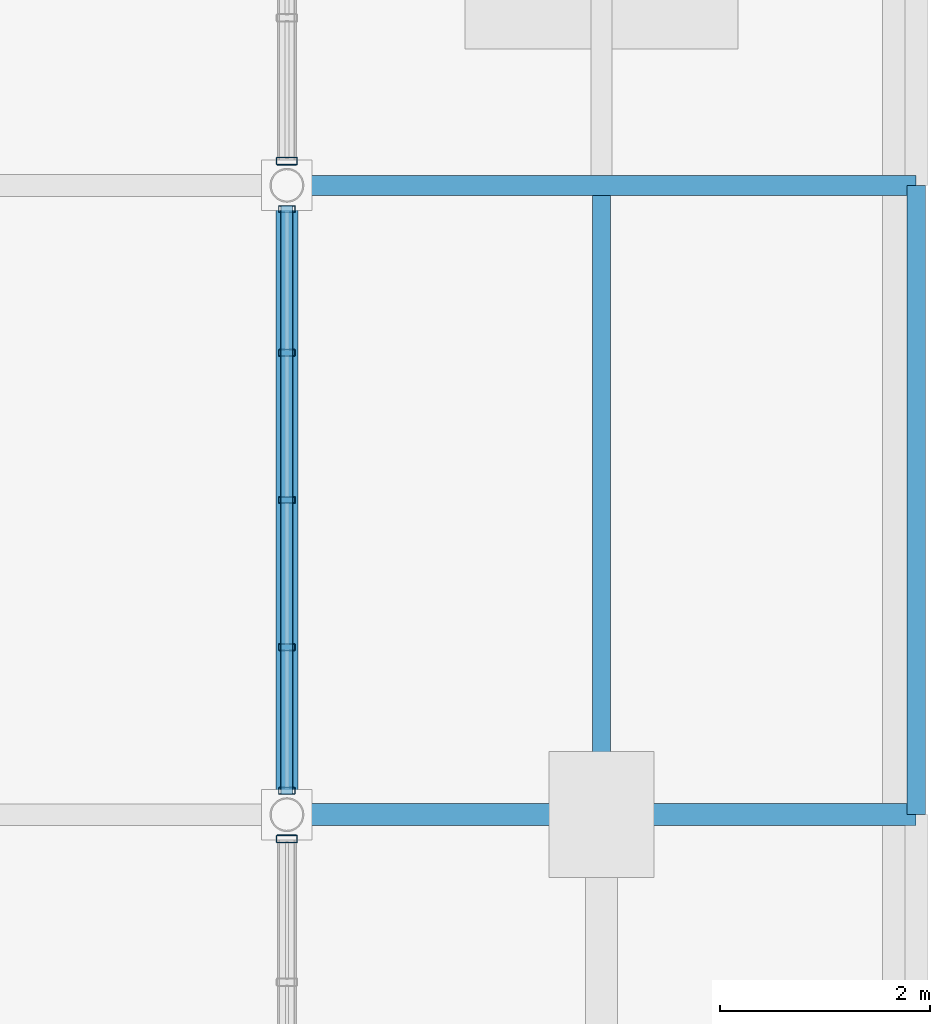
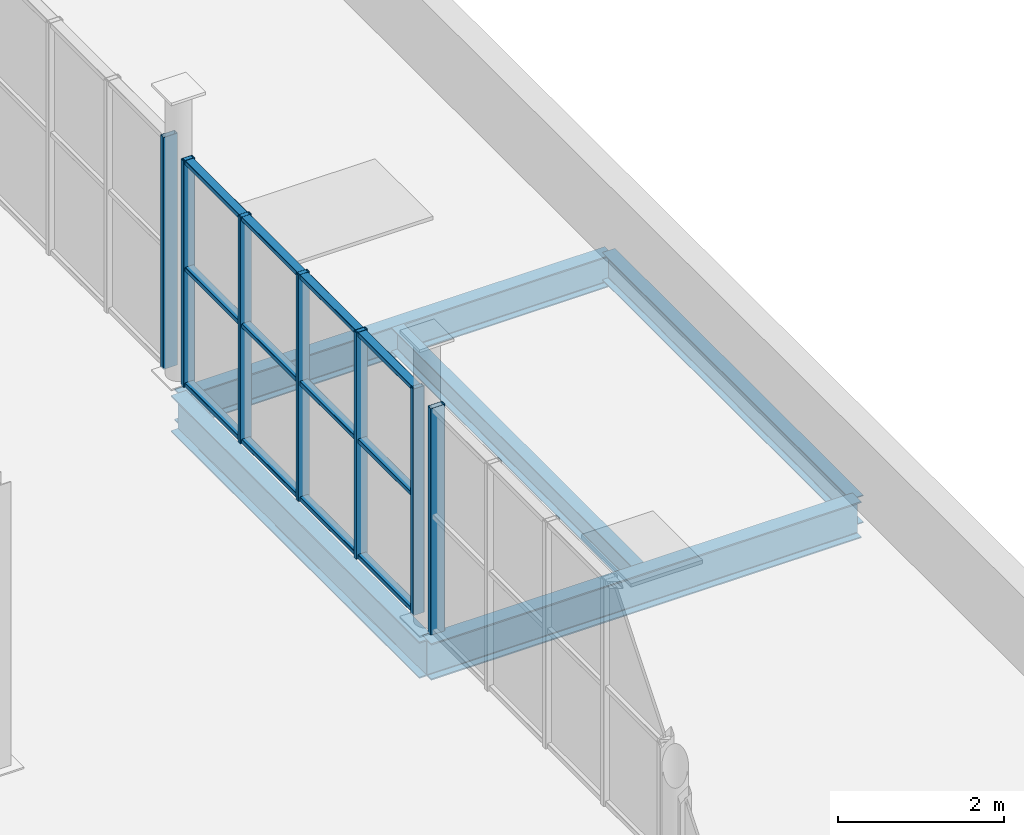
# One storey, part 12 of 27: 10 members, 5 beams, 3 elements without a shape of their own.
"""IFC4 building model written with IfcOpenShell, lengths in metres."""

from ifc_helpers import new_model, si_unit, direction, frame, origin, origin_2d, place, context, subcontext, project, spatial, hollow_rectangle, i_section, extrude, material, material_profile, profile_set, type_object, element, aggregate, save


model = new_model("IFC4")

# Units and contexts
model_context = context("Model", 3, precision=1e-05, world=origin(), true_north=direction((0.0, 1.0)))
body_context = subcontext(model_context, "Body", "Model", "MODEL_VIEW")
ifc_project = project(units=[si_unit("LENGTHUNIT", "METRE"), si_unit("AREAUNIT", "SQUARE_METRE"), si_unit("VOLUMEUNIT", "CUBIC_METRE"), si_unit("PLANEANGLEUNIT", "RADIAN"), si_unit("MASSUNIT", "GRAM", prefix="KILO")], contexts=[model_context])

# Site, building, storey
site_placement = place(None, origin())
site = spatial("IfcSite", under=ifc_project, at=site_placement, CompositionType="ELEMENT")
building_placement = place(site_placement, origin())
building = spatial("IfcBuilding", under=site, at=building_placement, Name="Verrall Gate Interchange", CompositionType="ELEMENT")
storey_placement = place(building_placement, frame((0.0, 0.0, 28.60009765625)))
storey = spatial("IfcBuildingStorey", under=building, at=storey_placement, Name="L07", CompositionType="ELEMENT", Elevation=28.60009765625)

# Beams
ifc_material_1 = material(Name="Structural Steel CSA G40.21 350W", Category="steel")
ifc_material_profile_1 = material_profile(ifc_material_1, i_section(OverallWidth=0.2109375, OverallDepth=0.5390625, WebThickness=0.01171875, FlangeThickness=0.018798828125, FilletRadius=0.013916015625, at=origin_2d()), Name="W530x109")
ifc_profile_set_1 = profile_set([ifc_material_profile_1], Name="Structural Steel CSA G40.21 350W")
beam_type_1 = type_object("IfcBeamType", Name="B-10 Structural Beam W530x109", PredefinedType="BEAM", material=ifc_profile_set_1)
for number, where, z_axis, x_axis, name in (
    (1, (30.0, 22.0, -0.529541015625), (1.0, 0.0, 0.0), (0.0, 1.0, 0.0), "L07 Girder BM-L07-3238 (B-10)"),
    (2, (30.0, 22.0, -0.529541015625), (0.0, 1.0, 0.0), (-1.0, 0.0, 0.0), "L07 Girder BM-L07-3303 (B-10)"),
):
    element("IfcBeam", number, at=place(storey_placement, frame(where, z_axis=z_axis, x_axis=x_axis)), inside=storey, type_object=beam_type_1, Name=name, PredefinedType="BEAM", context=body_context, shape_type="SweptSolid", body=[
        extrude(i_section(OverallWidth=0.2109375, OverallDepth=0.5390625, WebThickness=0.01171875, FlangeThickness=0.018798828125, FilletRadius=0.013916015625, at=origin_2d()), origin(), (0.0, 0.0, 1.0), 6.0),
    ])
ifc_material_2 = material(Name="Structural Steel CSA G40.21 350W", Category="steel")
ifc_material_profile_2 = material_profile(ifc_material_2, i_section(OverallWidth=0.19189453125, OverallDepth=0.462890625, WebThickness=0.010498046875, FlangeThickness=0.017578125, FilletRadius=0.012939453125, at=origin_2d()), Name="W460x89")
ifc_profile_set_2 = profile_set([ifc_material_profile_2], Name="Structural Steel CSA G40.21 350W")
beam_type_2 = type_object("IfcBeamType", Name="B-11 Structural Beam W460x89", PredefinedType="BEAM", material=ifc_profile_set_2)
beam_1_placement = place(storey_placement, frame((30.0, 28.0, -0.49169921875), z_axis=(1.0, 0.0, 0.0), x_axis=(0.0, 1.0, 0.0)))
element("IfcBeam", 3, at=beam_1_placement, inside=storey, type_object=beam_type_2, Name="L07 Girder BM-L07-3243 (B-11)", PredefinedType="BEAM", context=body_context, shape_type="SweptSolid", body=[
    extrude(i_section(OverallWidth=0.19189453125, OverallDepth=0.462890625, WebThickness=0.010498046875, FlangeThickness=0.017578125, FilletRadius=0.012939453125, at=origin_2d()), origin(), (0.0, 0.0, 1.0), 6.0),
])
ifc_material_3 = material(Name="Structural Steel CSA G40.21 350W", Category="steel")
ifc_material_profile_3 = material_profile(ifc_material_3, i_section(OverallWidth=0.178955078125, OverallDepth=0.409912109375, WebThickness=0.0087890625, FlangeThickness=0.014404296875, FilletRadius=0.011962890625, at=origin_2d()), Name="W410x67")
ifc_profile_set_3 = profile_set([ifc_material_profile_3], Name="Structural Steel CSA G40.21 350W")
beam_type_3 = type_object("IfcBeamType", Name="B-12 Structural Beam W410x67", PredefinedType="BEAM", material=ifc_profile_set_3)
beam_2_placement = place(storey_placement, frame((36.0, 22.0, -0.465087890625), z_axis=(0.0, 1.0, 0.0), x_axis=(-1.0, 0.0, 0.0)))
element("IfcBeam", 4, at=beam_2_placement, inside=storey, type_object=beam_type_3, Name="L07 Girder BM-L07-3312 (B-12)", PredefinedType="BEAM", context=body_context, shape_type="SweptSolid", body=[
    extrude(i_section(OverallWidth=0.178955078125, OverallDepth=0.409912109375, WebThickness=0.0087890625, FlangeThickness=0.014404296875, FilletRadius=0.011962890625, at=origin_2d()), origin(), (0.0, 0.0, 1.0), 6.0),
])

# Curtain wall, members
ifc_material_4 = material(Name="Thermally Broken Anodized Aluminium Curtain Wall Framing", Category="aluminium")
curtain_wall_type_1 = type_object("IfcCurtainWallType", Name="CW-43 Unitized Curtain Wall 5612x3310", PredefinedType="NOTDEFINED", material=ifc_material_4)
curtain_wall_1_placement = place(storey_placement, origin())
curtain_wall_1 = element("IfcCurtainWall", 5, at=curtain_wall_1_placement, inside=storey, type_object=curtain_wall_type_1, Name="L07 Unitized Curtain Wall CW-L07-158", PredefinedType="NOTDEFINED")
ifc_material_5 = material(Name="Thermally Broken Anodized Aluminium Curtain Wall Framing", Category="aluminium")
ifc_material_profile_4 = material_profile(ifc_material_5, hollow_rectangle(XDim=0.06494140625, YDim=0.159912109375, WallThickness=0.00390625, InnerFilletRadius=0.00390625, OuterFilletRadius=0.008056640625, at=origin_2d()), Name="CWM160x65x4")
ifc_profile_set_4 = profile_set([ifc_material_profile_4], Name="Thermally Broken Anodized Aluminium Curtain Wall Framing")
member_type_1 = type_object("IfcMemberType", Name="CM-01 Curtain Mullion CWM160x65x4", PredefinedType="MULLION", material=ifc_profile_set_4)
member_1_placement = place(storey_placement, frame((30.0, 22.2265625, 0.0), z_axis=(0.0, 0.0, 1.0), x_axis=(0.0, 1.0, 0.0)))
member_1 = element("IfcMember", 6, at=member_1_placement, type_object=member_type_1, Name="CW-L07-158 Mullion 1", PredefinedType="MULLION", context=body_context, shape_type="SweptSolid", body=[
    extrude(hollow_rectangle(XDim=0.06494140625, YDim=0.159912109375, WallThickness=0.00390625, InnerFilletRadius=0.00390625, OuterFilletRadius=0.008056640625, at=origin_2d()), origin(), (0.0, 0.0, 1.0), 3.33984375),
])
member_2_placement = place(storey_placement, frame((30.0, 23.596923828125, 0.0), z_axis=(0.0, 0.0, 1.0), x_axis=(0.0, 1.0, 0.0)))
member_2 = element("IfcMember", 7, at=member_2_placement, type_object=member_type_1, Name="CW-L07-158 Mullion 2", PredefinedType="MULLION", context=body_context, shape_type="SweptSolid", body=[
    extrude(hollow_rectangle(XDim=0.06494140625, YDim=0.159912109375, WallThickness=0.00390625, InnerFilletRadius=0.00390625, OuterFilletRadius=0.008056640625, at=origin_2d()), origin(), (0.0, 0.0, 1.0), 3.33984375),
])
member_3_placement = place(storey_placement, frame((30.0, 25.0, 0.0), z_axis=(0.0, 0.0, 1.0), x_axis=(0.0, 1.0, 0.0)))
member_3 = element("IfcMember", 8, at=member_3_placement, type_object=member_type_1, Name="CW-L07-158 Mullion 3", PredefinedType="MULLION", context=body_context, shape_type="SweptSolid", body=[
    extrude(hollow_rectangle(XDim=0.06494140625, YDim=0.159912109375, WallThickness=0.00390625, InnerFilletRadius=0.00390625, OuterFilletRadius=0.008056640625, at=origin_2d()), origin(), (0.0, 0.0, 1.0), 3.33984375),
])
member_4_placement = place(storey_placement, frame((30.0, 26.403076171875, 0.0), z_axis=(0.0, 0.0, 1.0), x_axis=(0.0, 1.0, 0.0)))
member_4 = element("IfcMember", 9, at=member_4_placement, type_object=member_type_1, Name="CW-L07-158 Mullion 4", PredefinedType="MULLION", context=body_context, shape_type="SweptSolid", body=[
    extrude(hollow_rectangle(XDim=0.06494140625, YDim=0.159912109375, WallThickness=0.00390625, InnerFilletRadius=0.00390625, OuterFilletRadius=0.008056640625, at=origin_2d()), origin(), (0.0, 0.0, 1.0), 3.33984375),
])
member_5_placement = place(storey_placement, frame((30.0, 27.773681640625, 0.0), z_axis=(0.0, 0.0, 1.0), x_axis=(0.0, 1.0, 0.0)))
member_5 = element("IfcMember", 10, at=member_5_placement, type_object=member_type_1, Name="CW-L07-158 Mullion 5", PredefinedType="MULLION", context=body_context, shape_type="SweptSolid", body=[
    extrude(hollow_rectangle(XDim=0.06494140625, YDim=0.159912109375, WallThickness=0.00390625, InnerFilletRadius=0.00390625, OuterFilletRadius=0.008056640625, at=origin_2d()), origin(), (0.0, 0.0, 1.0), 3.33984375),
])

# Curtain wall, member
curtain_wall_2_placement = place(storey_placement, origin())
curtain_wall_2 = element("IfcCurtainWall", 11, at=curtain_wall_2_placement, inside=storey, type_object=curtain_wall_type_1, Name="L07 Unitized Curtain Wall CW-L07-157", PredefinedType="NOTDEFINED")
ifc_material_6 = material(Name="Thermally Broken Anodized Aluminium Curtain Wall Framing", Category="aluminium")
ifc_material_profile_5 = material_profile(ifc_material_6, hollow_rectangle(XDim=0.074951171875, YDim=0.199951171875, WallThickness=0.0048828125, InnerFilletRadius=0.0048828125, OuterFilletRadius=0.010009765625, at=origin_2d()), Name="CWM200x75x5")
ifc_profile_set_5 = profile_set([ifc_material_profile_5], Name="Thermally Broken Anodized Aluminium Curtain Wall Framing")
member_type_2 = type_object("IfcMemberType", Name="CM-02 Curtain Mullion CWM200x75x5", PredefinedType="MULLION", material=ifc_profile_set_5)
member_6_placement = place(storey_placement, frame((30.0, 21.7685546875, 0.0), z_axis=(0.0, 0.0, 1.0), x_axis=(0.0, 1.0, 0.0)))
member_6 = element("IfcMember", 12, at=member_6_placement, type_object=member_type_2, Name="CW-L07-157 Mullion 5", PredefinedType="MULLION", context=body_context, shape_type="SweptSolid", body=[
    extrude(hollow_rectangle(XDim=0.074951171875, YDim=0.199951171875, WallThickness=0.0048828125, InnerFilletRadius=0.0048828125, OuterFilletRadius=0.010009765625, at=origin_2d()), origin(), (0.0, 0.0, 1.0), 3.33984375),
])
aggregate(curtain_wall_2, [member_6])

ifc_material_7 = material(Name="Thermally Broken Anodized Aluminium Curtain Wall Framing", Category="aluminium")
curtain_wall_type_2 = type_object("IfcCurtainWallType", Name="CW-50 Unitized Curtain Wall 5647x3420", PredefinedType="NOTDEFINED", material=ifc_material_7)
curtain_wall_3_placement = place(storey_placement, origin())
curtain_wall_3 = element("IfcCurtainWall", 13, at=curtain_wall_3_placement, inside=storey, type_object=curtain_wall_type_2, Name="L07 Unitized Curtain Wall CW-L07-159", PredefinedType="NOTDEFINED")
member_7_placement = place(storey_placement, frame((30.0, 28.2314453125, 0.0), z_axis=(0.0, 0.0, 1.0), x_axis=(0.0, 1.0, 0.0)))
member_7 = element("IfcMember", 14, at=member_7_placement, type_object=member_type_2, Name="CW-L07-159 Mullion 1", PredefinedType="MULLION", context=body_context, shape_type="SweptSolid", body=[
    extrude(hollow_rectangle(XDim=0.074951171875, YDim=0.199951171875, WallThickness=0.0048828125, InnerFilletRadius=0.0048828125, OuterFilletRadius=0.010009765625, at=origin_2d()), origin(), (0.0, 0.0, 1.0), 3.419921875),
])
aggregate(curtain_wall_3, [member_7])

# Member
ifc_material_8 = material(Name="Thermally Broken Anodized Aluminium Curtain Wall Framing", Category="aluminium")
ifc_material_profile_6 = material_profile(ifc_material_8, hollow_rectangle(XDim=0.1201171875, YDim=0.06494140625, WallThickness=0.00390625, InnerFilletRadius=0.00390625, OuterFilletRadius=0.008056640625, at=origin_2d()), Name="CWT120x65x4")
ifc_profile_set_6 = profile_set([ifc_material_profile_6], Name="Thermally Broken Anodized Aluminium Curtain Wall Framing")
member_type_3 = type_object("IfcMemberType", Name="CT-01 Curtain Transom CWT120x65x4", PredefinedType="USERDEFINED", material=ifc_profile_set_6)
member_8_placement = place(storey_placement, frame((30.0, 22.194091796875, 0.032470703125), z_axis=(0.0, 1.0, 0.0), x_axis=(-1.0, 0.0, 0.0)))
member_8 = element("IfcMember", 15, at=member_8_placement, type_object=member_type_3, Name="CW-L07-158 Transom 1", ObjectType="TRANSOM", PredefinedType="USERDEFINED", context=body_context, shape_type="SweptSolid", body=[
    extrude(hollow_rectangle(XDim=0.1201171875, YDim=0.06494140625, WallThickness=0.00390625, InnerFilletRadius=0.00390625, OuterFilletRadius=0.008056640625, at=origin_2d()), origin(), (0.0, 0.0, 1.0), 5.612060546875),
])

member_9_placement = place(storey_placement, frame((30.0, 22.194091796875, 1.73681640625), z_axis=(0.0, 1.0, 0.0), x_axis=(-1.0, 0.0, 0.0)))
member_9 = element("IfcMember", 16, at=member_9_placement, type_object=member_type_3, Name="CW-L07-158 Transom 2", ObjectType="TRANSOM", PredefinedType="USERDEFINED", context=body_context, shape_type="SweptSolid", body=[
    extrude(hollow_rectangle(XDim=0.1201171875, YDim=0.06494140625, WallThickness=0.00390625, InnerFilletRadius=0.00390625, OuterFilletRadius=0.008056640625, at=origin_2d()), origin(), (0.0, 0.0, 1.0), 5.612060546875),
])

member_10_placement = place(storey_placement, frame((30.0, 22.194091796875, 3.307373046875), z_axis=(0.0, 1.0, 0.0), x_axis=(-1.0, 0.0, 0.0)))
member_10 = element("IfcMember", 17, at=member_10_placement, type_object=member_type_3, Name="CW-L07-158 Transom 3", ObjectType="TRANSOM", PredefinedType="USERDEFINED", context=body_context, shape_type="SweptSolid", body=[
    extrude(hollow_rectangle(XDim=0.1201171875, YDim=0.06494140625, WallThickness=0.00390625, InnerFilletRadius=0.00390625, OuterFilletRadius=0.008056640625, at=origin_2d()), origin(), (0.0, 0.0, 1.0), 5.612060546875),
])

aggregate(curtain_wall_1, [member_1, member_2, member_3, member_4, member_5, member_8, member_9, member_10])

# Beam
ifc_material_9 = material(Name="Structural Steel CSA G40.21 350W", Category="steel")
ifc_material_profile_7 = material_profile(ifc_material_9, i_section(OverallWidth=0.172119140625, OverallDepth=0.35791015625, WebThickness=0.0078125, FlangeThickness=0.01318359375, FilletRadius=0.010986328125, at=origin_2d()), Name="W360x57")
ifc_profile_set_7 = profile_set([ifc_material_profile_7], Name="Structural Steel CSA G40.21 350W")
beam_type_4 = type_object("IfcBeamType", Name="J-01 Floor Joist W360x57", PredefinedType="JOIST", material=ifc_profile_set_7)
beam_3_placement = place(storey_placement, frame((33.0, 22.10546875, -0.439208984375), z_axis=(0.0, 1.0, 0.0), x_axis=(-1.0, 0.0, 0.0)))
element("IfcBeam", 18, at=beam_3_placement, inside=storey, type_object=beam_type_4, Name="L07 Secondary Floor Joist JST-L07-3332", PredefinedType="JOIST", context=body_context, shape_type="SweptSolid", body=[
    extrude(i_section(OverallWidth=0.172119140625, OverallDepth=0.35791015625, WebThickness=0.0078125, FlangeThickness=0.01318359375, FilletRadius=0.010986328125, at=origin_2d()), origin(), (0.0, 0.0, 1.0), 5.798583984375),
])

save(model, "model.ifc")
